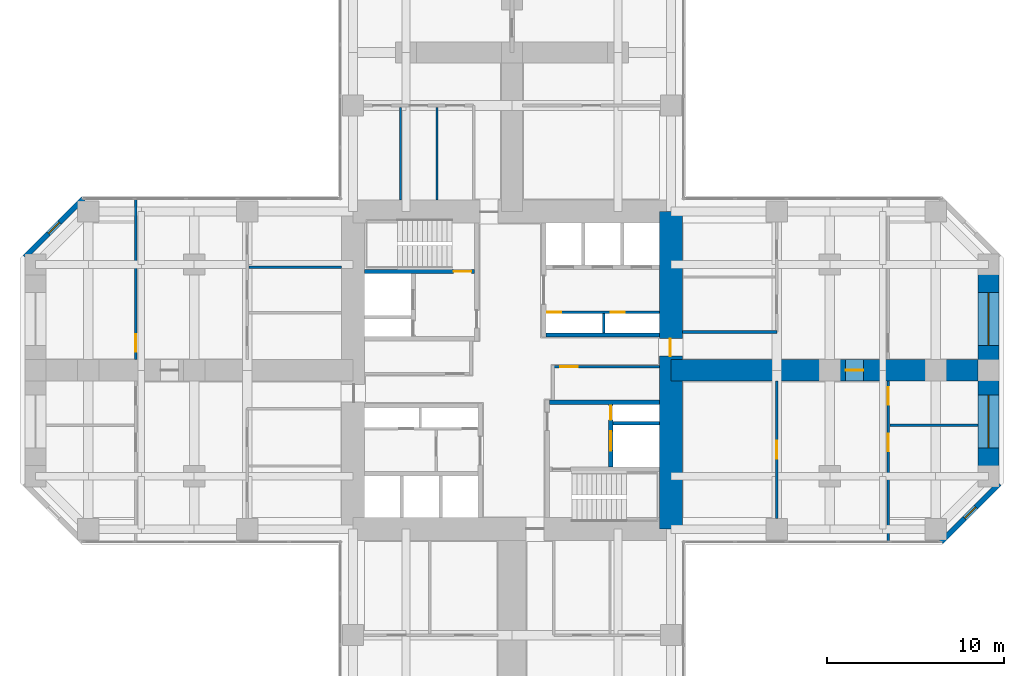
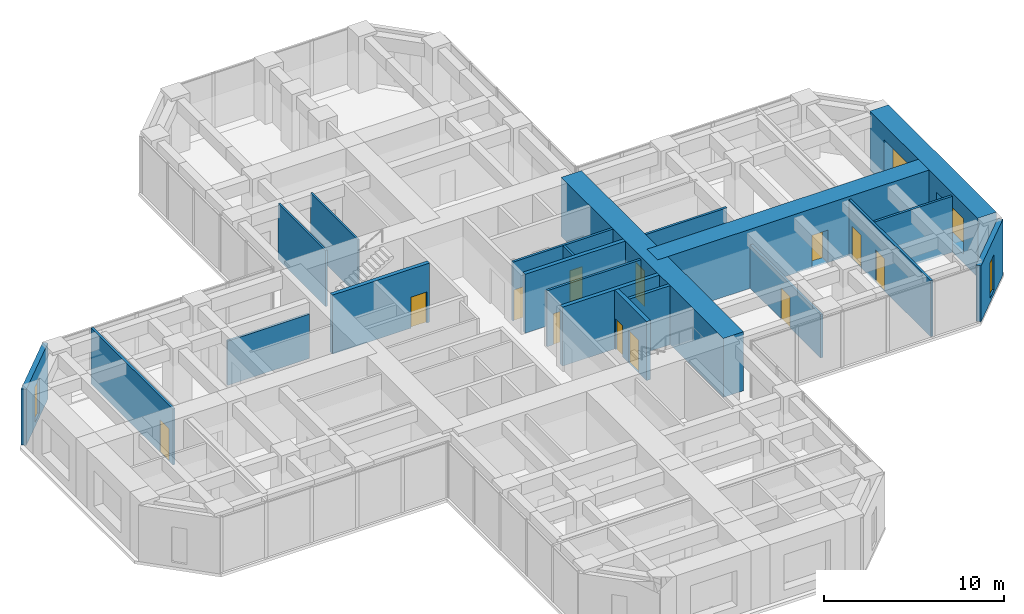
# One storey, part 10 of 13: 21 walls, 12 doors, 4 windows, 16 openings.
"""IFC4 building model written with IfcOpenShell, lengths in metres."""

import ifcopenshell
import ifcopenshell.guid

model = None  # the IFC model being written
_history = None  # IfcOwnerHistory: only IFC2X3 demands one
_inside = {}  # id of a spatial element -> (the spatial element, [elements in it])
_under = {}  # id of a project, library or spatial element -> (it, [spatial elements below it])
_declared = {}  # id of a project -> (the project, [libraries it declares])
_typed = {}  # id of a type object -> (the type object, [elements of that type])
_made_of = {}  # id of a material, layer set ... -> (it, [elements and type objects made of it])


def new_model(schema):
    """Start an empty IFC model of exactly this schema.

    Asked for "IFC4X3", IfcOpenShell would pick the latest addendum, in which some entities
    have other attributes; the version numbers below select the first issue.
    IFC2X3 requires an IfcOwnerHistory on every rooted entity: one is made here for all.
    """
    global model, _history
    if schema == "IFC4X3":
        model = ifcopenshell.file(schema_version=(4, 3, 0, 0))
    else:
        model = ifcopenshell.file(schema=schema)
    _inside.clear()
    _under.clear()
    _declared.clear()
    _typed.clear()
    _made_of.clear()
    _history = None
    if model.schema == "IFC2X3":
        org = make("IfcOrganization", Name="unknown")
        user = make(
            "IfcPersonAndOrganization",
            ThePerson=make("IfcPerson", FamilyName="unknown"),
            TheOrganization=org,
        )
        app = make(
            "IfcApplication",
            ApplicationDeveloper=org,
            Version="unknown",
            ApplicationFullName="unknown",
            ApplicationIdentifier="unknown",
        )
        _history = make(
            "IfcOwnerHistory",
            OwningUser=user,
            OwningApplication=app,
            ChangeAction="ADDED",
            CreationDate=0,
        )
    return model


def make(cls, **values):
    """One entity of the class cls with the attributes given. An attribute that is None is left unset."""
    return model.create_entity(
        cls, **{name: value for name, value in values.items() if value is not None}
    )


def rooted(cls, **values):
    """An entity with a GlobalId (a new one), such as an element, a storey or a relation."""
    return make(cls, GlobalId=ifcopenshell.guid.new(), OwnerHistory=_history, **values)


def si_unit(unit_type, name, prefix=None):
    """IfcSIUnit, for example si_unit("LENGTHUNIT", "METRE", prefix="MILLI")."""
    return make("IfcSIUnit", UnitType=unit_type, Prefix=prefix, Name=name)


def assignment(units):
    """IfcUnitAssignment: the units of a project."""
    return None if units is None else make("IfcUnitAssignment", Units=units)


def point(xyz):
    """IfcCartesianPoint."""
    return None if xyz is None else make("IfcCartesianPoint", Coordinates=xyz)


def direction(xyz):
    """IfcDirection."""
    return None if xyz is None else make("IfcDirection", DirectionRatios=xyz)


def frame(location, z_axis=None, x_axis=None):
    """IfcAxis2Placement3D, a coordinate frame: its origin and axes. An axis left out is left unset."""
    return make(
        "IfcAxis2Placement3D",
        Location=point(location),
        Axis=direction(z_axis),
        RefDirection=direction(x_axis),
    )


def frame_2d(location, x_axis=None):
    """IfcAxis2Placement2D, a coordinate frame in the plane: its origin and x axis."""
    return make(
        "IfcAxis2Placement2D", Location=point(location), RefDirection=direction(x_axis)
    )


def origin():
    """The frame at (0, 0, 0) with its axes left unset."""
    return frame((0.0, 0.0, 0.0))


def place(relative_to, where):
    """IfcLocalPlacement: puts the frame where relative to a parent placement (None: the world)."""
    return make(
        "IfcLocalPlacement", PlacementRelTo=relative_to, RelativePlacement=where
    )


def context(
    kind, dimensions, precision=None, world=None, true_north=None, identifier=None
):
    """IfcGeometricRepresentationContext, for example the 3D "Model" context."""
    return make(
        "IfcGeometricRepresentationContext",
        ContextIdentifier=identifier,
        ContextType=kind,
        CoordinateSpaceDimension=dimensions,
        Precision=precision,
        WorldCoordinateSystem=world,
        TrueNorth=true_north,
    )


def subcontext(parent, identifier, kind, view, scale=None):
    """IfcGeometricRepresentationSubContext, for example "Body" below "Model"."""
    return make(
        "IfcGeometricRepresentationSubContext",
        ContextIdentifier=identifier,
        ContextType=kind,
        ParentContext=parent,
        TargetScale=scale,
        TargetView=view,
    )


def project(units=None, contexts=None):
    """IfcProject with its units and contexts."""
    return rooted(
        "IfcProject",
        Name="project",
        RepresentationContexts=contexts,
        UnitsInContext=assignment(units),
    )


def spatial(cls, under=None, at=None, **own):
    """A site, building, storey or space (cls), placed at a placement, below another one or the project."""
    s = rooted(cls, ObjectPlacement=at, **own)
    if under is not None:
        _under.setdefault(under.id(), (under, []))[1].append(s)
    return s


def profile(cls, at=None, kind="AREA", **sizes):
    """A parametric profile (cls). Its sizes go by their IFC names, for example OverallWidth=200.0."""
    return make(cls, ProfileType=kind, Position=at, **sizes)


def rectangle(**sizes):
    """IfcRectangleProfileDef."""
    return profile("IfcRectangleProfileDef", **sizes)


def hollow_rectangle(**sizes):
    """IfcRectangleHollowProfileDef."""
    return profile("IfcRectangleHollowProfileDef", **sizes)


def extrude(swept, where, along, depth):
    """IfcExtrudedAreaSolid: the profile swept, set in the frame where, extruded along a direction by depth."""
    return make(
        "IfcExtrudedAreaSolid",
        SweptArea=swept,
        Position=where,
        ExtrudedDirection=direction(along),
        Depth=depth,
    )


def shape(context_of_items, identifier, shape_type, items):
    """IfcShapeRepresentation: the items that make up one representation, for example the "Body"."""
    return make(
        "IfcShapeRepresentation",
        ContextOfItems=context_of_items,
        RepresentationIdentifier=identifier,
        RepresentationType=shape_type,
        Items=items,
    )


def material(Name=None, Category=None):
    """IfcMaterial."""
    return make("IfcMaterial", Name=Name, Category=Category)


def layer(
    of_material, thickness, ventilated=None, Name=None, Category=None, Priority=None
):
    """IfcMaterialLayer: one layer of a wall or slab, of a material (None: an air gap)."""
    return make(
        "IfcMaterialLayer",
        Material=of_material,
        LayerThickness=thickness,
        IsVentilated=ventilated,
        Name=Name,
        Category=Category,
        Priority=Priority,
    )


def layer_set(layers, Name=None):
    """IfcMaterialLayerSet."""
    return make("IfcMaterialLayerSet", MaterialLayers=layers, LayerSetName=Name)


def constituent(of_material, Name=None, Category=None, fraction=None):
    """IfcMaterialConstituent: one of the materials an element consists of."""
    return make(
        "IfcMaterialConstituent",
        Name=Name,
        Material=of_material,
        Fraction=fraction,
        Category=Category,
    )


def constituent_set(constituents=None, Name=None):
    """IfcMaterialConstituentSet."""
    return make(
        "IfcMaterialConstituentSet", Name=Name, MaterialConstituents=constituents
    )


def made_of(thing, what):
    """Note that an element or type object is made of a material, layer set ...; save() writes the relation."""
    if what is not None:
        _made_of.setdefault(what.id(), (what, []))[1].append(thing)
    return thing


def type_object(cls, material=None, **own):
    """A type object (cls), such as IfcWallType, which elements share."""
    return made_of(rooted(cls, **own), material)


def element(
    cls,
    number,
    at=None,
    inside=None,
    cuts=None,
    type_object=None,
    material=None,
    context=None,
    identifier="Body",
    shape_type=None,
    held_by="IfcProductDefinitionShape",
    body=None,
    shapes=None,
    **own,
):
    """One element of the class cls, such as IfcWall. Its Tag is "e" and its number.

    at: its placement. inside: the storey or other place that contains it. cuts: it is an
    opening in that element (IfcRelVoidsElement). A single representation is given by context,
    identifier, shape_type and body (its items); several are given by shapes. held_by: the class
    of the entity that holds the representations. save() writes the other relations.
    """
    e = rooted(cls, Tag="e%d" % number, ObjectPlacement=at, **own)
    if body is not None:
        shapes = [shape(context, identifier, shape_type, body)]
    if shapes is not None:
        e.Representation = make(held_by, Representations=shapes)
    if inside is not None:
        _inside.setdefault(inside.id(), (inside, []))[1].append(e)
    if cuts is not None:
        rooted(
            "IfcRelVoidsElement", RelatingBuildingElement=cuts, RelatedOpeningElement=e
        )
    if type_object is not None:
        _typed.setdefault(type_object.id(), (type_object, []))[1].append(e)
    return made_of(e, material)


def fill(opening, filler):
    """IfcRelFillsElement: the door or window that sits in an opening."""
    return rooted(
        "IfcRelFillsElement",
        RelatingOpeningElement=opening,
        RelatedBuildingElement=filler,
    )


def aggregate(whole, parts):
    """IfcRelAggregates: a whole, such as a stair, and the parts it consists of."""
    return rooted("IfcRelAggregates", RelatingObject=whole, RelatedObjects=parts)


def save(model, path):
    """Write the relations noted so far, then the file.

    IfcRelAggregates (storeys below a building ...), IfcRelContainedInSpatialStructure (elements
    in a storey), IfcRelDefinesByType, IfcRelAssociatesMaterial and IfcRelDeclares: one each for
    every whole, place, type object, material and project.
    """
    for whole, parts in _under.values():
        aggregate(whole, parts)
    for where, things in _inside.values():
        rooted(
            "IfcRelContainedInSpatialStructure",
            RelatedElements=things,
            RelatingStructure=where,
        )
    for kind, things in _typed.values():
        rooted("IfcRelDefinesByType", RelatedObjects=things, RelatingType=kind)
    for what, things in _made_of.values():
        rooted("IfcRelAssociatesMaterial", RelatedObjects=things, RelatingMaterial=what)
    for by, libraries in _declared.values():
        rooted("IfcRelDeclares", RelatingContext=by, RelatedDefinitions=libraries)
    model.write(path)


model = new_model("IFC4")

# Units and contexts
model_context = context("Model", 3, precision=1e-05, world=origin(), true_north=direction((0.0, 1.0)))
body_context = subcontext(model_context, "Body", "Model", "MODEL_VIEW")
ifc_project = project(units=[si_unit("LENGTHUNIT", "METRE"), si_unit("AREAUNIT", "SQUARE_METRE"), si_unit("VOLUMEUNIT", "CUBIC_METRE"), si_unit("PLANEANGLEUNIT", "RADIAN"), si_unit("MASSUNIT", "GRAM", prefix="KILO")], contexts=[model_context])

# Site, building, storey
site_placement = place(None, origin())
site = spatial("IfcSite", under=ifc_project, at=site_placement, CompositionType="ELEMENT")
building_placement = place(site_placement, origin())
building = spatial("IfcBuilding", under=site, at=building_placement, Name="Torre Cruceta", CompositionType="ELEMENT")
storey_placement = place(building_placement, frame((0.0, 0.0, 51.5)))
storey = spatial("IfcBuildingStorey", under=building, at=storey_placement, Name="L12", CompositionType="ELEMENT", Elevation=51.5)

# Wall
ifc_material_1 = material(Name="Concrete G60 (fck 60 MPa)", Category="concrete")
ifc_layer_1 = layer(ifc_material_1, 0.25)
ifc_layer_set_1 = layer_set([ifc_layer_1], Name="Concrete G60 (fck 60 MPa)")
wall_type_1 = type_object("IfcWallType", Name="CORE INNER WALL 250 G60", PredefinedType="SHEAR", material=ifc_layer_set_1)
wall_1_placement = place(storey_placement, frame((1.925048828125, 2.0, 0.0), z_axis=(0.0, 0.0, 1.0), x_axis=(1.0, 0.0, 0.0)))
element("IfcWall", 1, at=wall_1_placement, inside=storey, type_object=wall_type_1, Name="CW4 L12 NE-CV", PredefinedType="SHEAR", context=body_context, shape_type="SweptSolid", body=[
    extrude(rectangle(XDim=6.425048828125, YDim=0.25, at=frame_2d((3.21240234375, 0.0))), origin(), (0.0, 0.0, 1.0), 4.0),
])

# Wall, opening, door
wall_2_placement = place(storey_placement, frame((-2.125, 5.60009765625, 0.0), z_axis=(0.0, 0.0, 1.0), x_axis=(-1.0, 0.0, 0.0)))
wall_2 = element("IfcWall", 2, at=wall_2_placement, inside=storey, type_object=wall_type_1, Name="CW4 L12 NW-SV", PredefinedType="SHEAR", context=body_context, shape_type="SweptSolid", body=[
    extrude(rectangle(XDim=6.22509765625, YDim=0.25, at=frame_2d((3.112548828125, 0.0))), origin(), (0.0, 0.0, 1.0), 4.0),
])
opening_1_placement = place(wall_2_placement, frame((0.175048828125, 0.0, 0.0)))
opening_1 = element("IfcOpeningElement", 3, at=opening_1_placement, cuts=wall_2, Name="Opening D3", PredefinedType="OPENING", context=body_context, shape_type="SweptSolid", body=[
    extrude(rectangle(XDim=1.0, YDim=2.10009765625, at=frame_2d((0.5, 1.050048828125))), frame((0.0, 0.135009765625, 0.0), z_axis=(0.0, -1.0, 0.0), x_axis=(1.0, 0.0, 0.0)), (0.0, 0.0, 1.0), 0.27001953125),
])
ifc_material_2 = material(Name="Steel DX51D", Category="steel")
ifc_constituent_1 = constituent(ifc_material_2, Name="Leaf and frame")
ifc_material_3 = material(Name="Polyester powder coating", Category="paint")
ifc_constituent_2 = constituent(ifc_material_3, Name="Finish")
ifc_constituent_set_1 = constituent_set(constituents=[ifc_constituent_1, ifc_constituent_2], Name="Steel fire door")
door_type_1 = type_object("IfcDoorType", Name="FIRE DOOR 1000X2100", OperationType="SINGLE_SWING_LEFT", PredefinedType="DOOR", material=ifc_constituent_set_1)
door_1_placement = place(opening_1_placement, frame((1.0, 0.0, 0.0), z_axis=(0.0, 0.0, 1.0), x_axis=(-1.0, 0.0, 0.0)))
door_1 = element("IfcDoor", 4, at=door_1_placement, inside=storey, type_object=door_type_1, Name="D3 L12 NW-STAIR", OperationType="SINGLE_SWING_RIGHT", OverallHeight=2.10009765625, OverallWidth=1.0, PredefinedType="DOOR", context=body_context, shape_type="SweptSolid", body=[
    extrude(rectangle(XDim=1.0, YDim=2.10009765625, at=frame_2d((0.5, 1.050048828125))), frame((0.0, 0.025146484375, 0.0), z_axis=(0.0, -1.0, 0.0), x_axis=(1.0, 0.0, 0.0)), (0.0, 0.0, 1.0), 0.050048828125),
])
fill(opening_1, door_1)

# Wall
wall_3_placement = place(storey_placement, frame((2.125, -1.800048828125, 0.0), z_axis=(0.0, 0.0, 1.0), x_axis=(1.0, 0.0, 0.0)))
element("IfcWall", 5, at=wall_3_placement, inside=storey, type_object=wall_type_1, Name="CW4 L12 SE-CV", PredefinedType="SHEAR", context=body_context, shape_type="SweptSolid", body=[
    extrude(rectangle(XDim=6.22509765625, YDim=0.25, at=frame_2d((3.112548828125, 0.0))), origin(), (0.0, 0.0, 1.0), 4.0),
])

# Wall, openings, doors
wall_4_placement = place(storey_placement, frame((5.60009765625, -1.925048828125, 0.0), z_axis=(0.0, 0.0, 1.0), x_axis=(0.0, -1.0, 0.0)))
wall_4 = element("IfcWall", 6, at=wall_4_placement, inside=storey, type_object=wall_type_1, Name="CW4 L12 SE-FU", PredefinedType="SHEAR", context=body_context, shape_type="SweptSolid", body=[
    extrude(rectangle(XDim=3.550048828125, YDim=0.25, at=frame_2d((1.77490234375, 0.0))), origin(), (0.0, 0.0, 1.0), 4.0),
])
opening_2_placement = place(wall_4_placement, frame((1.52490234375, 0.0, 0.0)))
opening_2 = element("IfcOpeningElement", 7, at=opening_2_placement, cuts=wall_4, Name="Opening LD1", PredefinedType="OPENING", context=body_context, shape_type="SweptSolid", body=[
    extrude(rectangle(XDim=1.10009765625, YDim=2.199951171875, at=frame_2d((0.550048828125, 1.10009765625))), frame((0.0, 0.135009765625, 0.0), z_axis=(0.0, -1.0, 0.0), x_axis=(1.0, 0.0, 0.0)), (0.0, 0.0, 1.0), 0.27001953125),
])
opening_3_placement = place(wall_4_placement, frame((0.074951171875, 0.0, 0.0)))
opening_3 = element("IfcOpeningElement", 8, at=opening_3_placement, cuts=wall_4, Name="Opening D5", PredefinedType="OPENING", context=body_context, shape_type="SweptSolid", body=[
    extrude(rectangle(XDim=0.800048828125, YDim=2.10009765625, at=frame_2d((0.39990234375, 1.050048828125))), frame((0.0, 0.135009765625, 0.0), z_axis=(0.0, -1.0, 0.0), x_axis=(1.0, 0.0, 0.0)), (0.0, 0.0, 1.0), 0.27001953125),
])
ifc_material_4 = material(Name="Stainless steel 1.4401", Category="steel")
door_type_2 = type_object("IfcDoorType", Name="LIFT LANDING DOOR 1100X2200", OperationType="DOUBLE_DOOR_SLIDING", PredefinedType="DOOR", material=ifc_material_4)
door_2_placement = place(opening_2_placement, origin())
door_2 = element("IfcDoor", 9, at=door_2_placement, inside=storey, type_object=door_type_2, Name="Lift landing door FL2", OperationType="DOUBLE_DOOR_SLIDING", OverallHeight=2.199951171875, OverallWidth=1.10009765625, PredefinedType="DOOR", context=body_context, shape_type="SweptSolid", body=[
    extrude(rectangle(XDim=1.10009765625, YDim=2.199951171875, at=frame_2d((0.550048828125, 1.10009765625))), frame((0.0, 0.02490234375, 0.0), z_axis=(0.0, -1.0, 0.0), x_axis=(1.0, 0.0, 0.0)), (0.0, 0.0, 1.0), 0.050048828125),
])
fill(opening_2, door_2)
ifc_material_5 = material(Name="Steel DX51D", Category="steel")
ifc_constituent_3 = constituent(ifc_material_5, Name="Leaf and frame")
ifc_material_6 = material(Name="Polyester powder coating", Category="paint")
ifc_constituent_4 = constituent(ifc_material_6, Name="Finish")
ifc_constituent_set_2 = constituent_set(constituents=[ifc_constituent_3, ifc_constituent_4], Name="Steel fire door")
door_type_3 = type_object("IfcDoorType", Name="RISER ACCESS DOOR 800X2100", OperationType="SINGLE_SWING_LEFT", PredefinedType="DOOR", material=ifc_constituent_set_2)
door_3_placement = place(opening_3_placement, origin())
door_3 = element("IfcDoor", 10, at=door_3_placement, inside=storey, type_object=door_type_3, Name="D5 L12 SE-RISER", OperationType="SINGLE_SWING_LEFT", OverallHeight=2.10009765625, OverallWidth=0.800048828125, PredefinedType="DOOR", context=body_context, shape_type="SweptSolid", body=[
    extrude(rectangle(XDim=0.800048828125, YDim=2.10009765625, at=frame_2d((0.39990234375, 1.050048828125))), frame((0.0, 0.02490234375, 0.0), z_axis=(0.0, -1.0, 0.0), x_axis=(1.0, 0.0, 0.0)), (0.0, 0.0, 1.0), 0.050048828125),
])
fill(opening_3, door_3)

# Wall, opening, door
ifc_material_7 = material(Name="Concrete G60 (fck 60 MPa)", Category="concrete")
ifc_layer_2 = layer(ifc_material_7, 1.300048828125)
ifc_layer_set_2 = layer_set([ifc_layer_2], Name="Concrete G60 (fck 60 MPa)")
wall_type_2 = type_object("IfcWallType", Name="CORE WALL 1300 G60", PredefinedType="SHEAR", material=ifc_layer_set_2)
wall_5_placement = place(storey_placement, frame((9.0, -9.0, 0.0), z_axis=(0.0, 0.0, 1.0), x_axis=(0.0, 1.0, 0.0)))
wall_5 = element("IfcWall", 11, at=wall_5_placement, inside=storey, type_object=wall_type_2, Name="CW1 L12 CW-E", PredefinedType="SHEAR", context=body_context, shape_type="SweptSolid", body=[
    extrude(rectangle(XDim=18.0, YDim=1.300048828125, at=frame_2d((9.0, 0.0))), origin(), (0.0, 0.0, 1.0), 4.0),
])
opening_4_placement = place(wall_5_placement, frame((9.800048828125, 0.0, 0.0)))
opening_4 = element("IfcOpeningElement", 12, at=opening_4_placement, cuts=wall_5, Name="Opening D4", PredefinedType="OPENING", context=body_context, shape_type="SweptSolid", body=[
    extrude(rectangle(XDim=1.0, YDim=2.39990234375, at=frame_2d((0.5, 1.199951171875))), frame((0.0, 0.659912109375, 0.0), z_axis=(0.0, -1.0, 0.0), x_axis=(1.0, 0.0, 0.0)), (0.0, 0.0, 1.0), 1.320068359375),
])
ifc_material_8 = material(Name="Steel DX51D", Category="steel")
ifc_constituent_5 = constituent(ifc_material_8, Name="Leaf and frame")
ifc_material_9 = material(Name="Polyester powder coating", Category="paint")
ifc_constituent_6 = constituent(ifc_material_9, Name="Finish")
ifc_constituent_set_3 = constituent_set(constituents=[ifc_constituent_5, ifc_constituent_6], Name="Steel fire door")
door_type_4 = type_object("IfcDoorType", Name="CORE ARM DOOR 1000X2400", OperationType="SINGLE_SWING_RIGHT", PredefinedType="DOOR", material=ifc_constituent_set_3)
door_4_placement = place(opening_4_placement, frame((1.0, 0.0, 0.0), z_axis=(0.0, 0.0, 1.0), x_axis=(-1.0, 0.0, 0.0)))
door_4 = element("IfcDoor", 13, at=door_4_placement, inside=storey, type_object=door_type_4, Name="D4 L12 CW-E", OperationType="SINGLE_SWING_RIGHT", OverallHeight=2.39990234375, OverallWidth=1.0, PredefinedType="DOOR", context=body_context, shape_type="SweptSolid", body=[
    extrude(rectangle(XDim=1.0, YDim=2.39990234375, at=frame_2d((0.5, 1.199951171875))), frame((0.0, -0.005126953125, 0.0), z_axis=(0.0, -1.0, 0.0), x_axis=(1.0, 0.0, 0.0)), (0.0, 0.0, 1.0), 0.050048828125),
])
fill(opening_4, door_4)

# Wall, opening, window
ifc_material_10 = material(Name="Concrete G30 (fck 30 MPa)", Category="concrete")
ifc_layer_3 = layer(ifc_material_10, 0.300048828125)
ifc_layer_set_3 = layer_set([ifc_layer_3], Name="Concrete G30 (fck 30 MPa)")
wall_type_3 = type_object("IfcWallType", Name="EXPOSED CONCRETE FACADE WALL 300", PredefinedType="SOLIDWALL", material=ifc_layer_set_3)
wall_6_placement = place(storey_placement, frame((24.29833984375, -9.719970703125, 0.0), z_axis=(0.0, 0.0, 1.0), x_axis=(0.707106781187, 0.707106781187, 0.0)))
wall_6 = element("IfcWall", 14, at=wall_6_placement, inside=storey, type_object=wall_type_3, Name="EW1 facade wall L12 E chamfer 01", PredefinedType="SOLIDWALL", context=body_context, shape_type="SweptSolid", body=[
    extrude(rectangle(XDim=4.66943359375, YDim=0.300048828125, at=frame_2d((2.334716796875, 0.0))), origin(), (0.0, 0.0, 1.0), 3.800048828125),
])
opening_5_placement = place(wall_6_placement, frame((1.884765625, 0.0, 0.300048828125)))
opening_5 = element("IfcOpeningElement", 15, at=opening_5_placement, cuts=wall_6, Name="Opening WN5", PredefinedType="OPENING", context=body_context, shape_type="SweptSolid", body=[
    extrude(rectangle(XDim=0.89990234375, YDim=2.39990234375, at=frame_2d((0.449951171875, 1.199951171875))), frame((0.0, 0.159912109375, 0.0), z_axis=(0.0, -1.0, 0.0), x_axis=(1.0, 0.0, 0.0)), (0.0, 0.0, 1.0), 0.320068359375),
])
ifc_material_11 = material(Name="Aluminium window frame", Category="aluminium")
ifc_constituent_7 = constituent(ifc_material_11, Name="Frame")
ifc_material_12 = material(Name="Laminated insulating glass unit, low-iron clear", Category="glass")
ifc_constituent_8 = constituent(ifc_material_12, Name="Glazing")
ifc_constituent_set_4 = constituent_set(constituents=[ifc_constituent_7, ifc_constituent_8], Name="Aluminium window")
window_type_1 = type_object("IfcWindowType", Name="CHAMFER SLOT WINDOW 900X2400", PartitioningType="SINGLE_PANEL", PredefinedType="WINDOW", material=ifc_constituent_set_4)
window_1_placement = place(opening_5_placement, origin())
window_1 = element("IfcWindow", 16, at=window_1_placement, inside=storey, type_object=window_type_1, Name="WN5 L12 E 1", OverallHeight=2.39990234375, OverallWidth=0.89990234375, PartitioningType="SINGLE_PANEL", PredefinedType="WINDOW", context=body_context, shape_type="SweptSolid", body=[
    extrude(hollow_rectangle(XDim=0.89990234375, YDim=2.39990234375, WallThickness=0.06005859375, at=frame_2d((0.449951171875, 1.199951171875))), frame((0.0, 0.030029296875, 0.0), z_axis=(0.0, -1.0, 0.0), x_axis=(1.0, 0.0, 0.0)), (0.0, 0.0, 1.0), 0.06005859375),
    extrude(rectangle(XDim=0.77880859375, YDim=2.27880859375, at=frame_2d((0.449951171875, 1.199951171875))), frame((0.0, 0.030029296875, 0.0), z_axis=(0.0, -1.0, 0.0), x_axis=(1.0, 0.0, 0.0)), (0.0, 0.0, 1.0), 0.06005859375),
])
fill(opening_5, window_1)

wall_7_placement = place(storey_placement, frame((-24.29833984375, 9.719970703125, 0.0), z_axis=(0.0, 0.0, 1.0), x_axis=(-0.707106781187, -0.707106781187, 0.0)))
wall_7 = element("IfcWall", 17, at=wall_7_placement, inside=storey, type_object=wall_type_3, Name="EW1 facade wall L12 W chamfer 11", PredefinedType="SOLIDWALL", context=body_context, shape_type="SweptSolid", body=[
    extrude(rectangle(XDim=4.66943359375, YDim=0.300048828125, at=frame_2d((2.334716796875, 0.0))), origin(), (0.0, 0.0, 1.0), 3.800048828125),
])
opening_6_placement = place(wall_7_placement, frame((1.884765625, 0.0, 0.300048828125)))
opening_6 = element("IfcOpeningElement", 18, at=opening_6_placement, cuts=wall_7, Name="Opening WN5", PredefinedType="OPENING", context=body_context, shape_type="SweptSolid", body=[
    extrude(rectangle(XDim=0.89990234375, YDim=2.39990234375, at=frame_2d((0.449951171875, 1.199951171875))), frame((0.0, 0.159912109375, 0.0), z_axis=(0.0, -1.0, 0.0), x_axis=(1.0, 0.0, 0.0)), (0.0, 0.0, 1.0), 0.320068359375),
])
window_2_placement = place(opening_6_placement, origin())
window_2 = element("IfcWindow", 19, at=window_2_placement, inside=storey, type_object=window_type_1, Name="WN5 L12 W 1", OverallHeight=2.39990234375, OverallWidth=0.89990234375, PartitioningType="SINGLE_PANEL", PredefinedType="WINDOW", context=body_context, shape_type="SweptSolid", body=[
    extrude(hollow_rectangle(XDim=0.89990234375, YDim=2.39990234375, WallThickness=0.06005859375, at=frame_2d((0.449951171875, 1.199951171875))), frame((0.0, 0.030029296875, 0.0), z_axis=(0.0, -1.0, 0.0), x_axis=(1.0, 0.0, 0.0)), (0.0, 0.0, 1.0), 0.06005859375),
    extrude(rectangle(XDim=0.77880859375, YDim=2.27880859375, at=frame_2d((0.449951171875, 1.199951171875))), frame((0.0, 0.030029296875, 0.0), z_axis=(0.0, -1.0, 0.0), x_axis=(1.0, 0.0, 0.0)), (0.0, 0.0, 1.0), 0.06005859375),
])
fill(opening_6, window_2)

# Wall
ifc_material_13 = material(Name="Concrete G35 (fck 35 MPa)", Category="concrete")
ifc_layer_4 = layer(ifc_material_13, 0.199951171875)
ifc_layer_set_4 = layer_set([ifc_layer_4], Name="Concrete G35 (fck 35 MPa)")
wall_type_4 = type_object("IfcWallType", Name="LIFT SHAFT WALL 200", PredefinedType="PARTITIONING", material=ifc_layer_set_4)
wall_8_placement = place(storey_placement, frame((5.72509765625, -3.0, 0.0), z_axis=(0.0, 0.0, 1.0), x_axis=(1.0, 0.0, 0.0)))
element("IfcWall", 20, at=wall_8_placement, inside=storey, type_object=wall_type_4, Name="SW1 L12 SE-FR", PredefinedType="PARTITIONING", context=body_context, shape_type="SweptSolid", body=[
    extrude(rectangle(XDim=2.625, YDim=0.199951171875, at=frame_2d((1.3125, 0.0))), origin(), (0.0, 0.0, 1.0), 4.0),
])

# Wall, openings, windows
ifc_material_14 = material(Name="Concrete G60 (fck 60 MPa)", Category="concrete")
ifc_layer_5 = layer(ifc_material_14, 1.199951171875)
ifc_layer_set_5 = layer_set([ifc_layer_5], Name="Concrete G60 (fck 60 MPa)")
wall_type_5 = type_object("IfcWallType", Name="NOSE WALL 1200 G60", PredefinedType="SHEAR", material=ifc_layer_set_5)
wall_9_placement = place(storey_placement, frame((27.0, -6.0, 0.0), z_axis=(0.0, 0.0, 1.0), x_axis=(0.0, 1.0, 0.0)))
wall_9 = element("IfcWall", 21, at=wall_9_placement, inside=storey, type_object=wall_type_5, Name="NW1 nose wall L12 E", PredefinedType="SHEAR", context=body_context, shape_type="SweptSolid", body=[
    extrude(rectangle(XDim=12.0, YDim=1.199951171875, at=frame_2d((6.0, 0.0))), origin(), (0.0, 0.0, 1.0), 4.0),
])
opening_7_placement = place(wall_9_placement, frame((1.60009765625, 0.0, 0.60009765625)))
opening_7 = element("IfcOpeningElement", 22, at=opening_7_placement, cuts=wall_9, Name="Opening WN6", PredefinedType="OPENING", context=body_context, shape_type="SweptSolid", body=[
    extrude(rectangle(XDim=3.0, YDim=2.39990234375, at=frame_2d((1.5, 1.199951171875))), frame((0.0, 0.60986328125, 0.0), z_axis=(0.0, -1.0, 0.0), x_axis=(1.0, 0.0, 0.0)), (0.0, 0.0, 1.0), 1.219970703125),
])
opening_8_placement = place(wall_9_placement, frame((7.39990234375, 0.0, 0.60009765625)))
opening_8 = element("IfcOpeningElement", 23, at=opening_8_placement, cuts=wall_9, Name="Opening WN6", PredefinedType="OPENING", context=body_context, shape_type="SweptSolid", body=[
    extrude(rectangle(XDim=3.0, YDim=2.39990234375, at=frame_2d((1.5, 1.199951171875))), frame((0.0, 0.60986328125, 0.0), z_axis=(0.0, -1.0, 0.0), x_axis=(1.0, 0.0, 0.0)), (0.0, 0.0, 1.0), 1.219970703125),
])
ifc_material_15 = material(Name="Aluminium window frame", Category="aluminium")
ifc_constituent_9 = constituent(ifc_material_15, Name="Frame")
ifc_material_16 = material(Name="Laminated insulating glass unit, low-iron clear", Category="glass")
ifc_constituent_10 = constituent(ifc_material_16, Name="Glazing")
ifc_constituent_set_5 = constituent_set(constituents=[ifc_constituent_9, ifc_constituent_10], Name="Aluminium window")
window_type_2 = type_object("IfcWindowType", Name="NOSE WALL WINDOW 3000X2400", PartitioningType="SINGLE_PANEL", PredefinedType="WINDOW", material=ifc_constituent_set_5)
window_3_placement = place(opening_7_placement, origin())
window_3 = element("IfcWindow", 24, at=window_3_placement, inside=storey, type_object=window_type_2, Name="WN6 L12 E 1", OverallHeight=2.39990234375, OverallWidth=3.0, PartitioningType="SINGLE_PANEL", PredefinedType="WINDOW", context=body_context, shape_type="SweptSolid", body=[
    extrude(hollow_rectangle(XDim=3.0, YDim=2.39990234375, WallThickness=0.06005859375, at=frame_2d((1.5, 1.199951171875))), frame((0.0, 0.030029296875, 0.0), z_axis=(0.0, -1.0, 0.0), x_axis=(1.0, 0.0, 0.0)), (0.0, 0.0, 1.0), 0.06005859375),
    extrude(rectangle(XDim=2.87890625, YDim=2.27880859375, at=frame_2d((1.5, 1.199951171875))), frame((0.0, 0.030029296875, 0.0), z_axis=(0.0, -1.0, 0.0), x_axis=(1.0, 0.0, 0.0)), (0.0, 0.0, 1.0), 0.06005859375),
])
fill(opening_7, window_3)
window_4_placement = place(opening_8_placement, origin())
window_4 = element("IfcWindow", 25, at=window_4_placement, inside=storey, type_object=window_type_2, Name="WN6 L12 E 2", OverallHeight=2.39990234375, OverallWidth=3.0, PartitioningType="SINGLE_PANEL", PredefinedType="WINDOW", context=body_context, shape_type="SweptSolid", body=[
    extrude(hollow_rectangle(XDim=3.0, YDim=2.39990234375, WallThickness=0.06005859375, at=frame_2d((1.5, 1.199951171875))), frame((0.0, 0.030029296875, 0.0), z_axis=(0.0, -1.0, 0.0), x_axis=(1.0, 0.0, 0.0)), (0.0, 0.0, 1.0), 0.06005859375),
    extrude(rectangle(XDim=2.87890625, YDim=2.27880859375, at=frame_2d((1.5, 1.199951171875))), frame((0.0, 0.030029296875, 0.0), z_axis=(0.0, -1.0, 0.0), x_axis=(1.0, 0.0, 0.0)), (0.0, 0.0, 1.0), 0.06005859375),
])
fill(opening_8, window_4)

# Wall, opening, door
ifc_material_17 = material(Name="Plasterboard on steel studs", Category="steel")
ifc_layer_6 = layer(ifc_material_17, 0.14990234375)
ifc_layer_set_6 = layer_set([ifc_layer_6], Name="Plasterboard on steel studs")
wall_type_6 = type_object("IfcWallType", Name="PARTITION 150", PredefinedType="PARTITIONING", material=ifc_layer_set_6)
wall_10_placement = place(storey_placement, frame((2.324951171875, 0.199951171875, 0.0), z_axis=(0.0, 0.0, 1.0), x_axis=(1.0, 0.0, 0.0)))
wall_10 = element("IfcWall", 26, at=wall_10_placement, inside=storey, type_object=wall_type_6, Name="PT1 L12-CORE-LEGE-S-W1", PredefinedType="PARTITIONING", context=body_context, shape_type="SweptSolid", body=[
    extrude(rectangle(XDim=6.025146484375, YDim=0.14990234375, at=frame_2d((3.0126953125, 0.0))), origin(), (0.0, 0.0, 1.0), 3.800048828125),
])
opening_9_placement = place(wall_10_placement, frame((0.39990234375, 0.0, 0.0)))
opening_9 = element("IfcOpeningElement", 27, at=opening_9_placement, cuts=wall_10, Name="Opening D3", PredefinedType="OPENING", context=body_context, shape_type="SweptSolid", body=[
    extrude(rectangle(XDim=1.0, YDim=2.10009765625, at=frame_2d((0.5, 1.050048828125))), frame((0.0, 0.0849609375, 0.0), z_axis=(0.0, -1.0, 0.0), x_axis=(1.0, 0.0, 0.0)), (0.0, 0.0, 1.0), 0.169921875),
])
door_5_placement = place(opening_9_placement, frame((1.0, 0.0, 0.0), z_axis=(0.0, 0.0, 1.0), x_axis=(-1.0, 0.0, 0.0)))
door_5 = element("IfcDoor", 28, at=door_5_placement, inside=storey, type_object=door_type_1, Name="D3 L12-CORE-LEGE-S-W1-D1", OperationType="SINGLE_SWING_RIGHT", OverallHeight=2.10009765625, OverallWidth=1.0, PredefinedType="DOOR", context=body_context, shape_type="SweptSolid", body=[
    extrude(rectangle(XDim=1.0, YDim=2.10009765625, at=frame_2d((0.5, 1.050048828125))), frame((0.0, 0.025146484375, 0.0), z_axis=(0.0, -1.0, 0.0), x_axis=(1.0, 0.0, 0.0)), (0.0, 0.0, 1.0), 0.050048828125),
])
fill(opening_9, door_5)

# Wall
wall_11_placement = place(storey_placement, frame((9.64990234375, 2.175048828125, 0.0), z_axis=(0.0, 0.0, 1.0), x_axis=(1.0, 0.0, 0.0)))
element("IfcWall", 29, at=wall_11_placement, inside=storey, type_object=wall_type_6, Name="PT1 L12-E-BSL", PredefinedType="PARTITIONING", context=body_context, shape_type="SweptSolid", body=[
    extrude(rectangle(XDim=5.35009765625, YDim=0.14990234375, at=frame_2d((2.675048828125, 0.0))), origin(), (0.0, 0.0, 1.0), 3.800048828125),
])

# Wall, opening, door
wall_12_placement = place(storey_placement, frame((15.0, -8.39990234375, 0.0), z_axis=(0.0, 0.0, 1.0), x_axis=(0.0, 1.0, 0.0)))
wall_12 = element("IfcWall", 30, at=wall_12_placement, inside=storey, type_object=wall_type_6, Name="PT1 L12-E-BFR", PredefinedType="PARTITIONING", context=body_context, shape_type="SweptSolid", body=[
    extrude(rectangle(XDim=7.7998046875, YDim=0.14990234375, at=frame_2d((3.89990234375, 0.0))), origin(), (0.0, 0.0, 1.0), 2.949951171875),
])
opening_10_placement = place(wall_12_placement, frame((3.39990234375, 0.0, 0.0)))
opening_10 = element("IfcOpeningElement", 31, at=opening_10_placement, cuts=wall_12, Name="Opening D3", PredefinedType="OPENING", context=body_context, shape_type="SweptSolid", body=[
    extrude(rectangle(XDim=1.0, YDim=2.10009765625, at=frame_2d((0.5, 1.050048828125))), frame((0.0, 0.0849609375, 0.0), z_axis=(0.0, -1.0, 0.0), x_axis=(1.0, 0.0, 0.0)), (0.0, 0.0, 1.0), 0.169921875),
])
door_6_placement = place(opening_10_placement, origin())
door_6 = element("IfcDoor", 32, at=door_6_placement, inside=storey, type_object=door_type_1, Name="D3 L12-E-BFR-D1", OperationType="SINGLE_SWING_RIGHT", OverallHeight=2.10009765625, OverallWidth=1.0, PredefinedType="DOOR", context=body_context, shape_type="SweptSolid", body=[
    extrude(rectangle(XDim=1.0, YDim=2.10009765625, at=frame_2d((0.5, 1.050048828125))), frame((0.0, 0.02490234375, 0.0), z_axis=(0.0, -1.0, 0.0), x_axis=(1.0, 0.0, 0.0)), (0.0, 0.0, 1.0), 0.050048828125),
])
fill(opening_10, door_6)

# Wall
wall_13_placement = place(storey_placement, frame((21.419921875, -3.117919921875, 0.0), z_axis=(0.0, 0.0, 1.0), x_axis=(1.0, 0.0, 0.0)))
element("IfcWall", 33, at=wall_13_placement, inside=storey, type_object=wall_type_6, Name="PT1 L12-E-TDR", PredefinedType="PARTITIONING", context=body_context, shape_type="SweptSolid", body=[
    extrude(rectangle(XDim=4.97998046875, YDim=0.14990234375, at=frame_2d((2.489990234375, 0.0))), origin(), (0.0, 0.0, 1.0), 3.800048828125),
])

# Wall, openings, doors
wall_14_placement = place(storey_placement, frame((21.320068359375, -9.679931640625, 0.0), z_axis=(0.0, 0.0, 1.0), x_axis=(0.0, 1.0, 0.0)))
wall_14 = element("IfcWall", 34, at=wall_14_placement, inside=storey, type_object=wall_type_6, Name="PT1 L12-E-TWR", PredefinedType="PARTITIONING", context=body_context, shape_type="SweptSolid", body=[
    extrude(rectangle(XDim=9.079833984375, YDim=0.14990234375, at=frame_2d((4.5400390625, 0.0))), origin(), (0.0, 0.0, 1.0), 3.800048828125),
])
opening_11_placement = place(wall_14_placement, frame((5.0869140625, 0.0, 0.0)))
opening_11 = element("IfcOpeningElement", 35, at=opening_11_placement, cuts=wall_14, Name="Opening D14", PredefinedType="OPENING", context=body_context, shape_type="SweptSolid", body=[
    extrude(rectangle(XDim=1.0, YDim=2.199951171875, at=frame_2d((0.5, 1.10009765625))), frame((0.0, 0.0849609375, 0.0), z_axis=(0.0, -1.0, 0.0), x_axis=(1.0, 0.0, 0.0)), (0.0, 0.0, 1.0), 0.169921875),
])
opening_12_placement = place(wall_14_placement, frame((7.72998046875, 0.0, 0.0)))
opening_12 = element("IfcOpeningElement", 36, at=opening_12_placement, cuts=wall_14, Name="Opening D14", PredefinedType="OPENING", context=body_context, shape_type="SweptSolid", body=[
    extrude(rectangle(XDim=1.0, YDim=2.199951171875, at=frame_2d((0.5, 1.10009765625))), frame((0.0, 0.0849609375, 0.0), z_axis=(0.0, -1.0, 0.0), x_axis=(1.0, 0.0, 0.0)), (0.0, 0.0, 1.0), 0.169921875),
])
ifc_material_18 = material(Name="Steel DX51D", Category="steel")
ifc_constituent_11 = constituent(ifc_material_18, Name="Leaf and frame")
ifc_material_19 = material(Name="Polyester powder coating", Category="paint")
ifc_constituent_12 = constituent(ifc_material_19, Name="Finish")
ifc_material_20 = material(Name="Fire-resisting glass", Category="glass")
ifc_constituent_13 = constituent(ifc_material_20, Name="Vision panel")
ifc_constituent_set_6 = constituent_set(constituents=[ifc_constituent_11, ifc_constituent_12, ifc_constituent_13], Name="Steel fire door with vision panel")
door_type_5 = type_object("IfcDoorType", Name="FIRE DOOR VISION PANEL 1000X2200", OperationType="SINGLE_SWING_RIGHT", PredefinedType="DOOR", material=ifc_constituent_set_6)
door_7_placement = place(opening_11_placement, frame((1.0, 0.0, 0.0), z_axis=(0.0, 0.0, 1.0), x_axis=(-1.0, 0.0, 0.0)))
door_7 = element("IfcDoor", 37, at=door_7_placement, inside=storey, type_object=door_type_5, Name="D14 L12-E-TWR-D1", OperationType="SINGLE_SWING_LEFT", OverallHeight=2.199951171875, OverallWidth=1.0, PredefinedType="DOOR", context=body_context, shape_type="SweptSolid", body=[
    extrude(rectangle(XDim=1.0, YDim=2.199951171875, at=frame_2d((0.5, 1.10009765625))), frame((0.0, 0.025146484375, 0.0), z_axis=(0.0, -1.0, 0.0), x_axis=(1.0, 0.0, 0.0)), (0.0, 0.0, 1.0), 0.050048828125),
])
fill(opening_11, door_7)
door_8_placement = place(opening_12_placement, frame((1.0, 0.0, 0.0), z_axis=(0.0, 0.0, 1.0), x_axis=(-1.0, 0.0, 0.0)))
door_8 = element("IfcDoor", 38, at=door_8_placement, inside=storey, type_object=door_type_5, Name="D14 L12-E-TWR-D2", OperationType="SINGLE_SWING_LEFT", OverallHeight=2.199951171875, OverallWidth=1.0, PredefinedType="DOOR", context=body_context, shape_type="SweptSolid", body=[
    extrude(rectangle(XDim=1.0, YDim=2.199951171875, at=frame_2d((0.5, 1.10009765625))), frame((0.0, 0.025146484375, 0.0), z_axis=(0.0, -1.0, 0.0), x_axis=(1.0, 0.0, 0.0)), (0.0, 0.0, 1.0), 0.050048828125),
])
fill(opening_12, door_8)

# Wall
wall_15_placement = place(storey_placement, frame((-9.64990234375, 5.833251953125, 0.0), z_axis=(0.0, 0.0, 1.0), x_axis=(-1.0, 0.0, 0.0)))
element("IfcWall", 39, at=wall_15_placement, inside=storey, type_object=wall_type_6, Name="PT1 L12-W-BDR2", PredefinedType="PARTITIONING", context=body_context, shape_type="SweptSolid", body=[
    extrude(rectangle(XDim=5.25, YDim=0.14990234375, at=frame_2d((2.625, 0.0))), origin(), (0.0, 0.0, 1.0), 3.0),
])

# Wall, opening, door
wall_16_placement = place(storey_placement, frame((-21.320068359375, 9.679931640625, 0.0), z_axis=(0.0, 0.0, 1.0), x_axis=(0.0, -1.0, 0.0)))
wall_16 = element("IfcWall", 40, at=wall_16_placement, inside=storey, type_object=wall_type_6, Name="PT1 L12-W-TWR", PredefinedType="PARTITIONING", context=body_context, shape_type="SweptSolid", body=[
    extrude(rectangle(XDim=9.079833984375, YDim=0.14990234375, at=frame_2d((4.5400390625, 0.0))), origin(), (0.0, 0.0, 1.0), 3.800048828125),
])
opening_13_placement = place(wall_16_placement, frame((7.6298828125, 0.0, 0.0)))
opening_13 = element("IfcOpeningElement", 41, at=opening_13_placement, cuts=wall_16, Name="Opening D14", PredefinedType="OPENING", context=body_context, shape_type="SweptSolid", body=[
    extrude(rectangle(XDim=1.0, YDim=2.199951171875, at=frame_2d((0.5, 1.10009765625))), frame((0.0, 0.0849609375, 0.0), z_axis=(0.0, -1.0, 0.0), x_axis=(1.0, 0.0, 0.0)), (0.0, 0.0, 1.0), 0.169921875),
])
door_9_placement = place(opening_13_placement, frame((1.0, 0.0, 0.0), z_axis=(0.0, 0.0, 1.0), x_axis=(-1.0, 0.0, 0.0)))
door_9 = element("IfcDoor", 42, at=door_9_placement, inside=storey, type_object=door_type_5, Name="D14 L12-W-TWR-D1", OperationType="SINGLE_SWING_LEFT", OverallHeight=2.199951171875, OverallWidth=1.0, PredefinedType="DOOR", context=body_context, shape_type="SweptSolid", body=[
    extrude(rectangle(XDim=1.0, YDim=2.199951171875, at=frame_2d((0.5, 1.10009765625))), frame((0.0, 0.025146484375, 0.0), z_axis=(0.0, -1.0, 0.0), x_axis=(1.0, 0.0, 0.0)), (0.0, 0.0, 1.0), 0.050048828125),
])
fill(opening_13, door_9)

# Wall, openings, doors
ifc_material_21 = material(Name="Concrete block masonry", Category="masonry")
ifc_layer_7 = layer(ifc_material_21, 0.14990234375)
ifc_layer_set_7 = layer_set([ifc_layer_7], Name="Concrete block masonry")
wall_type_7 = type_object("IfcWallType", Name="RISER WALL 150", PredefinedType="PARTITIONING", material=ifc_layer_set_7)
wall_17_placement = place(storey_placement, frame((1.925048828125, 3.300048828125, 0.0), z_axis=(0.0, 0.0, 1.0), x_axis=(1.0, 0.0, 0.0)))
wall_17 = element("IfcWall", 43, at=wall_17_placement, inside=storey, type_object=wall_type_7, Name="SW7 L12 NE-RV", PredefinedType="PARTITIONING", context=body_context, shape_type="SweptSolid", body=[
    extrude(rectangle(XDim=6.425048828125, YDim=0.14990234375, at=frame_2d((3.21240234375, 0.0))), origin(), (0.0, 0.0, 1.0), 4.0),
])
opening_14_placement = place(wall_17_placement, frame((0.074951171875, 0.0, 0.0)))
opening_14 = element("IfcOpeningElement", 44, at=opening_14_placement, cuts=wall_17, Name="Opening D5", PredefinedType="OPENING", context=body_context, shape_type="SweptSolid", body=[
    extrude(rectangle(XDim=0.800048828125, YDim=2.10009765625, at=frame_2d((0.39990234375, 1.050048828125))), frame((0.0, 0.0849609375, 0.0), z_axis=(0.0, -1.0, 0.0), x_axis=(1.0, 0.0, 0.0)), (0.0, 0.0, 1.0), 0.169921875),
])
opening_15_placement = place(wall_17_placement, frame((3.675048828125, 0.0, 0.0)))
opening_15 = element("IfcOpeningElement", 45, at=opening_15_placement, cuts=wall_17, Name="Opening D5", PredefinedType="OPENING", context=body_context, shape_type="SweptSolid", body=[
    extrude(rectangle(XDim=0.800048828125, YDim=2.10009765625, at=frame_2d((0.39990234375, 1.050048828125))), frame((0.0, 0.0849609375, 0.0), z_axis=(0.0, -1.0, 0.0), x_axis=(1.0, 0.0, 0.0)), (0.0, 0.0, 1.0), 0.169921875),
])
door_10_placement = place(opening_14_placement, frame((0.800048828125, 0.0, 0.0), z_axis=(0.0, 0.0, 1.0), x_axis=(-1.0, 0.0, 0.0)))
door_10 = element("IfcDoor", 46, at=door_10_placement, inside=storey, type_object=door_type_3, Name="D5 L12 NE-RISER1", OperationType="SINGLE_SWING_RIGHT", OverallHeight=2.10009765625, OverallWidth=0.800048828125, PredefinedType="DOOR", context=body_context, shape_type="SweptSolid", body=[
    extrude(rectangle(XDim=0.800048828125, YDim=2.10009765625, at=frame_2d((0.400146484375, 1.050048828125))), frame((0.0, 0.025146484375, 0.0), z_axis=(0.0, -1.0, 0.0), x_axis=(1.0, 0.0, 0.0)), (0.0, 0.0, 1.0), 0.050048828125),
])
fill(opening_14, door_10)
door_11_placement = place(opening_15_placement, frame((0.800048828125, 0.0, 0.0), z_axis=(0.0, 0.0, 1.0), x_axis=(-1.0, 0.0, 0.0)))
door_11 = element("IfcDoor", 47, at=door_11_placement, inside=storey, type_object=door_type_3, Name="D5 L12 NE-RISER2", OperationType="SINGLE_SWING_RIGHT", OverallHeight=2.10009765625, OverallWidth=0.800048828125, PredefinedType="DOOR", context=body_context, shape_type="SweptSolid", body=[
    extrude(rectangle(XDim=0.800048828125, YDim=2.10009765625, at=frame_2d((0.400146484375, 1.050048828125))), frame((0.0, 0.025146484375, 0.0), z_axis=(0.0, -1.0, 0.0), x_axis=(1.0, 0.0, 0.0)), (0.0, 0.0, 1.0), 0.050048828125),
])
fill(opening_15, door_11)

# Wall
wall_18_placement = place(storey_placement, frame((5.199951171875, 2.125, 0.0), z_axis=(0.0, 0.0, 1.0), x_axis=(0.0, 1.0, 0.0)))
element("IfcWall", 48, at=wall_18_placement, inside=storey, type_object=wall_type_7, Name="SW7 L12 NE-RU", PredefinedType="PARTITIONING", context=body_context, shape_type="SweptSolid", body=[
    extrude(rectangle(XDim=1.10009765625, YDim=0.14990234375, at=frame_2d((0.550048828125, 0.0))), origin(), (0.0, 0.0, 1.0), 4.0),
])

# Wall, opening, door
ifc_material_22 = material(Name="Concrete G60 (fck 60 MPa)", Category="concrete")
ifc_layer_8 = layer(ifc_material_22, 1.199951171875)
ifc_layer_set_8 = layer_set([ifc_layer_8], Name="Concrete G60 (fck 60 MPa)")
wall_type_8 = type_object("IfcWallType", Name="SPINE WALL 1200 G60", PredefinedType="SHEAR", material=ifc_layer_set_8)
wall_19_placement = place(storey_placement, frame((9.0, 0.0, 0.0), z_axis=(0.0, 0.0, 1.0), x_axis=(1.0, 0.0, 0.0)))
wall_19 = element("IfcWall", 49, at=wall_19_placement, inside=storey, type_object=wall_type_8, Name="SW3 spine wall L12 E", PredefinedType="SHEAR", context=body_context, shape_type="SweptSolid", body=[
    extrude(rectangle(XDim=18.0, YDim=1.199951171875, at=frame_2d((9.0, 0.0))), origin(), (0.0, 0.0, 1.0), 4.0),
])
opening_16_placement = place(wall_19_placement, frame((9.89990234375, 0.0, 0.0)))
opening_16 = element("IfcOpeningElement", 50, at=opening_16_placement, cuts=wall_19, Name="Opening D14", PredefinedType="OPENING", context=body_context, shape_type="SweptSolid", body=[
    extrude(rectangle(XDim=1.0, YDim=2.199951171875, at=frame_2d((0.5, 1.10009765625))), frame((0.0, 0.60986328125, 0.0), z_axis=(0.0, -1.0, 0.0), x_axis=(1.0, 0.0, 0.0)), (0.0, 0.0, 1.0), 1.219970703125),
])
door_12_placement = place(opening_16_placement, frame((1.0, 0.0, 0.0), z_axis=(0.0, 0.0, 1.0), x_axis=(-1.0, 0.0, 0.0)))
door_12 = element("IfcDoor", 51, at=door_12_placement, inside=storey, type_object=door_type_5, Name="D14 L12-E-SP1", OperationType="SINGLE_SWING_LEFT", OverallHeight=2.199951171875, OverallWidth=1.0, PredefinedType="DOOR", context=body_context, shape_type="SweptSolid", body=[
    extrude(rectangle(XDim=1.0, YDim=2.199951171875, at=frame_2d((0.5, 1.10009765625))), frame((0.0, 0.025146484375, 0.0), z_axis=(0.0, -1.0, 0.0), x_axis=(1.0, 0.0, 0.0)), (0.0, 0.0, 1.0), 0.050048828125),
])
fill(opening_16, door_12)

# Walls
ifc_material_23 = material(Name="Plasterboard on steel studs", Category="steel")
ifc_layer_9 = layer(ifc_material_23, 0.1201171875)
ifc_layer_set_9 = layer_set([ifc_layer_9], Name="Plasterboard on steel studs")
wall_type_9 = type_object("IfcWallType", Name="WC PARTITION 120", PredefinedType="PLUMBINGWALL", material=ifc_layer_set_9)
for number, where, z_axis, x_axis, name in (
    (52, (-4.25, 9.64990234375, 0.0), (0.0, 0.0, 1.0), (0.0, 1.0, 0.0), "PT5 L12-N-BDL1"),
    (53, (-6.324951171875, 9.64990234375, 0.0), (0.0, 0.0, 1.0), (0.0, 1.0, 0.0), "PT5 L12-N-BDL2"),
):
    element("IfcWall", number, at=place(storey_placement, frame(where, z_axis=z_axis, x_axis=x_axis)), inside=storey, type_object=wall_type_9, Name=name, PredefinedType="PLUMBINGWALL", context=body_context, shape_type="SweptSolid", body=[
        extrude(rectangle(XDim=5.25, YDim=0.1201171875, at=frame_2d((2.625, 0.0))), origin(), (0.0, 0.0, 1.0), 3.800048828125),
    ])

save(model, "model.ifc")
